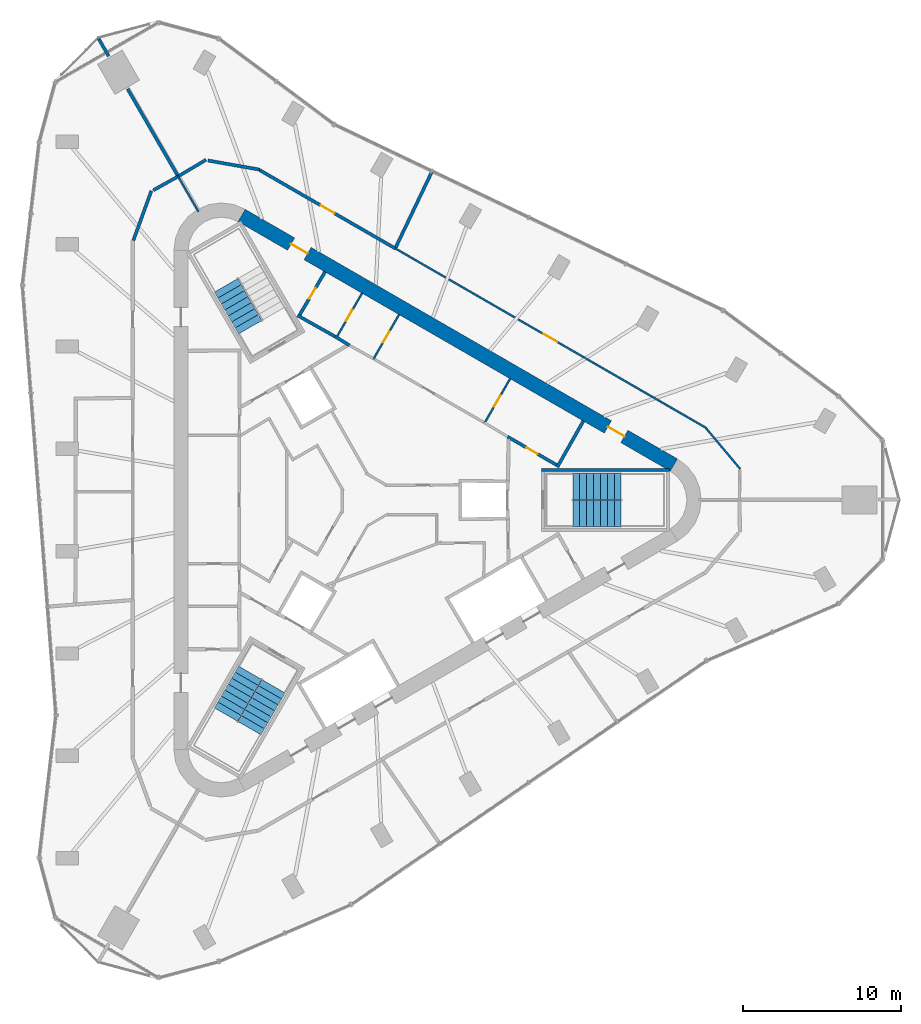
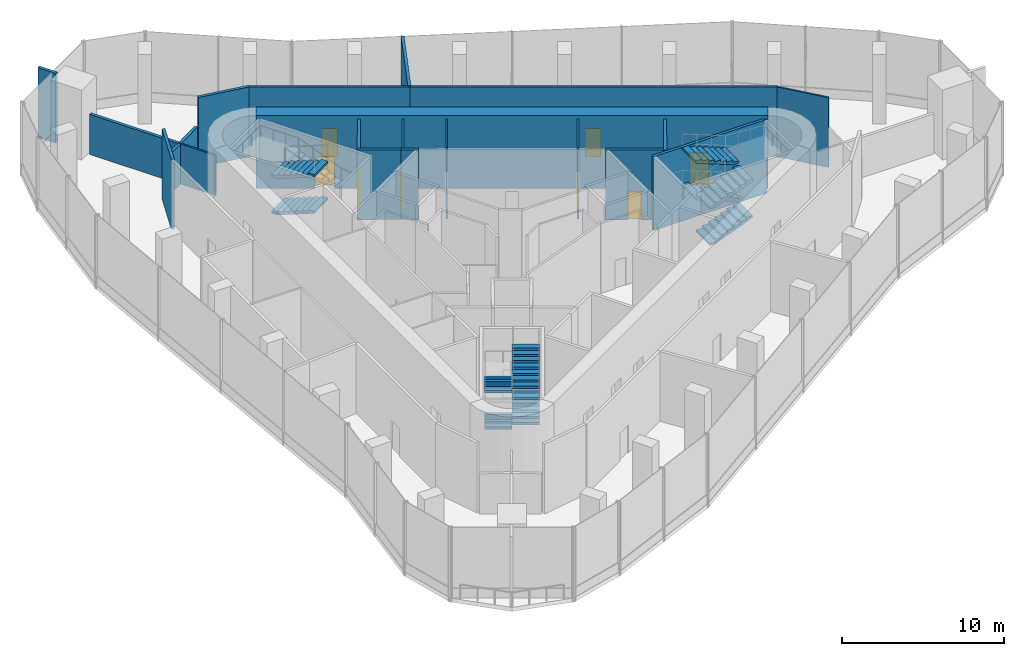
# One storey, part 10 of 13: 21 walls, 10 stair flights, 9 doors, 9 openings, 3 elements without a shape of their own.
"""IFC4 building model written with IfcOpenShell, lengths in metres."""

from ifc_helpers import new_model, si_unit, direction, frame, frame_2d, origin, place, context, subcontext, project, spatial, polyline, rectangle, outline, extrude, material, layer, layer_set, type_object, element, fill, aggregate, save


model = new_model("IFC4")

# Units and contexts
model_context = context("Model", 3, precision=1e-05, world=origin(), true_north=direction((0.0, 1.0)))
body_context = subcontext(model_context, "Body", "Model", "MODEL_VIEW")
ifc_project = project(units=[si_unit("LENGTHUNIT", "METRE"), si_unit("AREAUNIT", "SQUARE_METRE"), si_unit("VOLUMEUNIT", "CUBIC_METRE"), si_unit("PLANEANGLEUNIT", "RADIAN"), si_unit("MASSUNIT", "GRAM", prefix="KILO")], contexts=[model_context])

# Site, building, storey
site_placement = place(None, origin())
site = spatial("IfcSite", under=ifc_project, at=site_placement, CompositionType="ELEMENT")
building_placement = place(site_placement, origin())
building = spatial("IfcBuilding", under=site, at=building_placement, Name="Tanit Gate Tower", CompositionType="ELEMENT")
storey_placement = place(building_placement, frame((0.0, 0.0, 404.800048828125)))
storey = spatial("IfcBuildingStorey", under=building, at=storey_placement, Name="L92", CompositionType="ELEMENT", Elevation=404.800048828125)

# Wall, openings, doors
ifc_material_1 = material(Name="Concrete C40/50", Category="concrete")
ifc_layer_1 = layer(ifc_material_1, 0.89990234375)
ifc_layer_set_1 = layer_set([ifc_layer_1], Name="CORE WALL 900 C40/50")
wall_type_1 = type_object("IfcWallType", Name="CORE WALL 900 C40/50", PredefinedType="SHEAR", material=ifc_layer_set_1)
wall_1_placement = place(storey_placement, frame((19.47509765625, 2.20849609375, 0.0), z_axis=(0.0, 0.0, 1.0), x_axis=(-0.866028369851, 0.499994862586, 0.0)))
wall_1 = element("IfcWall", 1, at=wall_1_placement, inside=storey, type_object=wall_type_1, Name="CORE WALL", PredefinedType="SHEAR", context=body_context, shape_type="SweptSolid", body=[
    extrude(rectangle(XDim=31.523193359375, YDim=0.89990234375, at=frame_2d((15.76171875, 0.0))), origin(), (0.0, 0.0, 1.0), 5.5),
])
opening_1_placement = place(wall_1_placement, frame((3.611572265625, 0.0, 0.0)))
opening_1 = element("IfcOpeningElement", 2, at=opening_1_placement, cuts=wall_1, Name="Opening F12-92-FL1", PredefinedType="OPENING", context=body_context, shape_type="SweptSolid", body=[
    extrude(rectangle(XDim=1.199951171875, YDim=2.39990234375, at=frame_2d((0.60009765625, 1.199951171875))), frame((0.0, 0.4599609375, 0.0), z_axis=(0.0, -1.0, 0.0), x_axis=(1.0, 0.0, 0.0)), (0.0, 0.0, 1.0), 0.919921875),
])
opening_2_placement = place(wall_1_placement, frame((26.711669921875, 0.0, 0.0)))
opening_2 = element("IfcOpeningElement", 3, at=opening_2_placement, cuts=wall_1, Name="Opening F12-92-S2", PredefinedType="OPENING", context=body_context, shape_type="SweptSolid", body=[
    extrude(rectangle(XDim=1.199951171875, YDim=2.39990234375, at=frame_2d((0.60009765625, 1.199951171875))), frame((0.0, 0.4599609375, 0.0), z_axis=(0.0, -1.0, 0.0), x_axis=(1.0, 0.0, 0.0)), (0.0, 0.0, 1.0), 0.919921875),
])
ifc_material_2 = material(Name="Fire-rated steel door leaf", Category="steel")
door_type_1 = type_object("IfcDoorType", Name="INT-DOOR-FIRE-LOBBY-1200", OperationType="NOTDEFINED", PredefinedType="USERDEFINED", material=ifc_material_2)
door_1_placement = place(opening_1_placement, origin())
door_1 = element("IfcDoor", 4, at=door_1_placement, inside=storey, type_object=door_type_1, Name="Door F12-92-FL1", ObjectType="FIRE DOOR", OperationType="SINGLE_SWING_RIGHT", OverallHeight=2.39990234375, OverallWidth=1.199951171875, PredefinedType="USERDEFINED", context=body_context, shape_type="SweptSolid", body=[
    extrude(rectangle(XDim=1.199951171875, YDim=2.39990234375, at=frame_2d((0.60009765625, 1.199951171875))), frame((0.0, 0.02490234375, 0.0), z_axis=(0.0, -1.0, 0.0), x_axis=(1.0, 0.0, 0.0)), (0.0, 0.0, 1.0), 0.050048828125),
])
fill(opening_1, door_1)
door_2_placement = place(opening_2_placement, origin())
door_2 = element("IfcDoor", 5, at=door_2_placement, inside=storey, type_object=door_type_1, Name="Door F12-92-S2", ObjectType="FIRE DOOR", OperationType="SINGLE_SWING_RIGHT", OverallHeight=2.39990234375, OverallWidth=1.199951171875, PredefinedType="USERDEFINED", context=body_context, shape_type="SweptSolid", body=[
    extrude(rectangle(XDim=1.199951171875, YDim=2.39990234375, at=frame_2d((0.60009765625, 1.199951171875))), frame((0.0, 0.02490234375, 0.0), z_axis=(0.0, -1.0, 0.0), x_axis=(1.0, 0.0, 0.0)), (0.0, 0.0, 1.0), 0.050048828125),
])
fill(opening_2, door_2)

# Wall
ifc_material_3 = material(Name="Fire-rated gypsum board partition")
ifc_layer_2 = layer(ifc_material_3, 0.199951171875)
ifc_layer_set_2 = layer_set([ifc_layer_2], Name="INT-WALL-COMPARTMENT")
wall_type_2 = type_object("IfcWallType", Name="INT-WALL-COMPARTMENT", PredefinedType="PARTITIONING", material=ifc_layer_set_2)
wall_2_placement = place(storey_placement, frame((12.10986328125, 2.07275390625, 0.0), z_axis=(0.0, 0.0, 1.0), x_axis=(0.49196600604, 0.870614408852, 0.0)))
element("IfcWall", 6, at=wall_2_placement, inside=storey, type_object=wall_type_2, Name="Wall Compartment W050", PredefinedType="PARTITIONING", context=body_context, shape_type="SweptSolid", body=[
    extrude(rectangle(XDim=3.35009765625, YDim=0.199951171875, at=frame_2d((1.675048828125, 0.0))), origin(), (0.0, 0.0, 1.0), 5.25),
])

# Wall, opening, door
wall_3_placement = place(storey_placement, frame((8.97412109375, 3.998779296875, 0.0), z_axis=(0.0, 0.0, 1.0), x_axis=(0.86601284211, -0.500021756827, 0.0)))
wall_3 = element("IfcWall", 7, at=wall_3_placement, inside=storey, type_object=wall_type_2, Name="Wall Compartment W051", PredefinedType="PARTITIONING", context=body_context, shape_type="SweptSolid", body=[
    extrude(rectangle(XDim=3.577392578125, YDim=0.199951171875, at=frame_2d((1.78857421875, 0.0))), origin(), (0.0, 0.0, 1.0), 5.25),
])
opening_3_placement = place(wall_3_placement, frame((1.388916015625, 0.0, 0.0)))
opening_3 = element("IfcOpeningElement", 8, at=opening_3_placement, cuts=wall_3, Name="Opening R08-92-19", PredefinedType="OPENING", context=body_context, shape_type="SweptSolid", body=[
    extrude(rectangle(XDim=0.800048828125, YDim=2.10009765625, at=frame_2d((0.39990234375, 1.050048828125))), frame((0.0, 0.10986328125, 0.0), z_axis=(0.0, -1.0, 0.0), x_axis=(1.0, 0.0, 0.0)), (0.0, 0.0, 1.0), 0.219970703125),
])
ifc_material_4 = material(Name="Timber door leaf", Category="wood")
door_type_2 = type_object("IfcDoorType", Name="INT-DOOR-RISER-800", OperationType="NOTDEFINED", PredefinedType="USERDEFINED", material=ifc_material_4)
door_3_placement = place(opening_3_placement, origin())
door_3 = element("IfcDoor", 9, at=door_3_placement, inside=storey, type_object=door_type_2, Name="Door R08-92-19", ObjectType="FIRE DOOR", OperationType="SINGLE_SWING_RIGHT", OverallHeight=2.10009765625, OverallWidth=0.800048828125, PredefinedType="USERDEFINED", context=body_context, shape_type="SweptSolid", body=[
    extrude(rectangle(XDim=0.800048828125, YDim=2.10009765625, at=frame_2d((0.39990234375, 1.050048828125))), frame((0.0, 0.02490234375, 0.0), z_axis=(0.0, -1.0, 0.0), x_axis=(1.0, 0.0, 0.0)), (0.0, 0.0, 1.0), 0.050048828125),
])
fill(opening_3, door_3)

# Walls
wall_4_placement = place(storey_placement, frame((-1.940673828125, 10.338623046875, 0.0), z_axis=(0.0, 0.0, 1.0), x_axis=(0.850216889117, -0.526432561171, 0.0)))
element("IfcWall", 10, at=wall_4_placement, inside=storey, type_object=wall_type_2, Name="Wall Compartment W056", PredefinedType="PARTITIONING", context=body_context, shape_type="SweptSolid", body=[
    extrude(rectangle(XDim=1.078369140625, YDim=0.199951171875, at=frame_2d((0.5390625, 0.0))), origin(), (0.0, 0.0, 1.0), 5.25),
])
wall_5_placement = place(storey_placement, frame((-4.296142578125, 11.658935546875, 0.0), z_axis=(0.0, 0.0, 1.0), x_axis=(0.871534483978, -0.490334215854, 0.0)))
element("IfcWall", 11, at=wall_5_placement, inside=storey, type_object=wall_type_2, Name="Wall Compartment W058", PredefinedType="PARTITIONING", context=body_context, shape_type="SweptSolid", body=[
    extrude(rectangle(XDim=2.7001953125, YDim=0.199951171875, at=frame_2d((1.35009765625, 0.0))), origin(), (0.0, 0.0, 1.0), 5.25),
])

# Wall, opening, door
wall_6_placement = place(storey_placement, frame((-2.557861328125, 14.409423828125, 0.0), z_axis=(0.0, 0.0, 1.0), x_axis=(-0.508018930956, -0.861345903683, 0.0)))
wall_6 = element("IfcWall", 12, at=wall_6_placement, inside=storey, type_object=wall_type_2, Name="Wall Compartment W059", PredefinedType="PARTITIONING", context=body_context, shape_type="SweptSolid", body=[
    extrude(rectangle(XDim=3.150146484375, YDim=0.199951171875, at=frame_2d((1.5751953125, 0.0))), origin(), (0.0, 0.0, 1.0), 5.25),
])
opening_4_placement = place(wall_6_placement, frame((1.175048828125, 0.0, 0.0)))
opening_4 = element("IfcOpeningElement", 13, at=opening_4_placement, cuts=wall_6, Name="Opening R08-92-22", PredefinedType="OPENING", context=body_context, shape_type="SweptSolid", body=[
    extrude(rectangle(XDim=0.800048828125, YDim=2.10009765625, at=frame_2d((0.39990234375, 1.050048828125))), frame((0.0, 0.10986328125, 0.0), z_axis=(0.0, -1.0, 0.0), x_axis=(1.0, 0.0, 0.0)), (0.0, 0.0, 1.0), 0.219970703125),
])
door_4_placement = place(opening_4_placement, origin())
door_4 = element("IfcDoor", 14, at=door_4_placement, inside=storey, type_object=door_type_2, Name="Door R08-92-22", ObjectType="FIRE DOOR", OperationType="SINGLE_SWING_LEFT", OverallHeight=2.10009765625, OverallWidth=0.800048828125, PredefinedType="USERDEFINED", context=body_context, shape_type="SweptSolid", body=[
    extrude(rectangle(XDim=0.800048828125, YDim=2.10009765625, at=frame_2d((0.39990234375, 1.050048828125))), frame((0.0, 0.02490234375, 0.0), z_axis=(0.0, -1.0, 0.0), x_axis=(1.0, 0.0, 0.0)), (0.0, 0.0, 1.0), 0.050048828125),
])
fill(opening_4, door_4)

# Walls
wall_7_placement = place(storey_placement, frame((-13.527099609375, 19.522216796875, 0.0), z_axis=(0.0, 0.0, 1.0), x_axis=(-0.341978542333, -0.939707761266, 0.0)))
element("IfcWall", 15, at=wall_7_placement, inside=storey, type_object=wall_type_2, Name="Wall Compartment W092", PredefinedType="PARTITIONING", context=body_context, shape_type="SweptSolid", body=[
    extrude(rectangle(XDim=3.32958984375, YDim=0.199951171875, at=frame_2d((1.664794921875, 0.0))), origin(), (0.0, 0.0, 1.0), 5.25),
])
wall_8_placement = place(storey_placement, frame((-11.80810546875, 20.4521484375, 0.0), z_axis=(0.0, 0.0, 1.0), x_axis=(-0.873514477635, -0.486798169021, 0.0)))
element("IfcWall", 16, at=wall_8_placement, inside=storey, type_object=wall_type_2, Name="Wall Compartment W093", PredefinedType="PARTITIONING", context=body_context, shape_type="SweptSolid", body=[
    extrude(rectangle(XDim=1.82958984375, YDim=0.199951171875, at=frame_2d((0.914794921875, 0.0))), origin(), (0.0, 0.0, 1.0), 3.02001953125),
])
wall_9_placement = place(storey_placement, frame((-11.84912109375, 20.463134765625, 0.0), z_axis=(0.0, 0.0, 1.0), x_axis=(-0.499993152284, 0.866029357279, 0.0)))
element("IfcWall", 17, at=wall_9_placement, inside=storey, type_object=wall_type_2, Name="Wall Compartment W106", PredefinedType="PARTITIONING", context=body_context, shape_type="SweptSolid", body=[
    extrude(rectangle(XDim=6.349609375, YDim=0.199951171875, at=frame_2d((3.1748046875, 0.0))), origin(), (0.0, 0.0, 1.0), 3.02001953125),
])
wall_10_placement = place(storey_placement, frame((-16.223876953125, 28.04052734375, 0.0), z_axis=(0.0, 0.0, 1.0), x_axis=(-0.499950289094, 0.866054102487, 0.0)))
element("IfcWall", 18, at=wall_10_placement, inside=storey, type_object=wall_type_2, Name="Wall Compartment W105", PredefinedType="PARTITIONING", context=body_context, shape_type="SweptSolid", body=[
    extrude(rectangle(XDim=1.267822265625, YDim=0.199951171875, at=frame_2d((0.6337890625, 0.0))), origin(), (0.0, 0.0, 1.0), 5.25),
])
wall_11_placement = place(storey_placement, frame((-10.074462890625, 21.488525390625, 0.0), z_axis=(0.0, 0.0, 1.0), x_axis=(-0.858323699828, -0.513108591152, 0.0)))
element("IfcWall", 19, at=wall_11_placement, inside=storey, type_object=wall_type_2, Name="Wall Compartment W114", PredefinedType="PARTITIONING", context=body_context, shape_type="SweptSolid", body=[
    extrude(rectangle(XDim=2.019775390625, YDim=0.199951171875, at=frame_2d((1.009765625, 0.0))), origin(), (0.0, 0.0, 1.0), 3.02001953125),
])
wall_12_placement = place(storey_placement, frame((-6.667236328125, 20.863037109375, 0.0), z_axis=(0.0, 0.0, 1.0), x_axis=(-0.984809308694, 0.173639354725, 0.0)))
element("IfcWall", 20, at=wall_12_placement, inside=storey, type_object=wall_type_2, Name="Wall Compartment W115", PredefinedType="PARTITIONING", context=body_context, shape_type="SweptSolid", body=[
    extrude(rectangle(XDim=3.33935546875, YDim=0.199951171875, at=frame_2d((1.669677734375, 0.0))), origin(), (0.0, 0.0, 1.0), 5.25),
])

# Wall, opening, door
wall_13_placement = place(storey_placement, frame((1.8984375, 15.878173828125, 0.0), z_axis=(0.0, 0.0, 1.0), x_axis=(-0.866032067792, 0.499988457423, 0.0)))
wall_13 = element("IfcWall", 21, at=wall_13_placement, inside=storey, type_object=wall_type_2, Name="Wall Compartment W116", PredefinedType="PARTITIONING", context=body_context, shape_type="SweptSolid", body=[
    extrude(rectangle(XDim=9.904541015625, YDim=0.199951171875, at=frame_2d((4.9521484375, 0.0))), origin(), (0.0, 0.0, 1.0), 5.25),
])
opening_5_placement = place(wall_13_placement, frame((4.456298828125, 0.0, 0.0)))
opening_5 = element("IfcOpeningElement", 22, at=opening_5_placement, cuts=wall_13, Name="Opening F10-92-31", PredefinedType="OPENING", context=body_context, shape_type="SweptSolid", body=[
    extrude(rectangle(XDim=1.0, YDim=2.10009765625, at=frame_2d((0.5, 1.050048828125))), frame((0.0, 0.10986328125, 0.0), z_axis=(0.0, -1.0, 0.0), x_axis=(1.0, 0.0, 0.0)), (0.0, 0.0, 1.0), 0.219970703125),
])
ifc_material_5 = material(Name="Fire-rated steel door leaf", Category="steel")
door_type_3 = type_object("IfcDoorType", Name="INT-DOOR-FIRE-1000", OperationType="NOTDEFINED", PredefinedType="USERDEFINED", material=ifc_material_5)
door_5_placement = place(opening_5_placement, origin())
door_5 = element("IfcDoor", 23, at=door_5_placement, inside=storey, type_object=door_type_3, Name="Door F10-92-31", ObjectType="FIRE DOOR", OperationType="SINGLE_SWING_RIGHT", OverallHeight=2.10009765625, OverallWidth=1.0, PredefinedType="USERDEFINED", context=body_context, shape_type="SweptSolid", body=[
    extrude(rectangle(XDim=1.0, YDim=2.10009765625, at=frame_2d((0.5, 1.050048828125))), frame((0.0, 0.02490234375, 0.0), z_axis=(0.0, -1.0, 0.0), x_axis=(1.0, 0.0, 0.0)), (0.0, 0.0, 1.0), 0.050048828125),
])
fill(opening_5, door_5)

# Wall
wall_14_placement = place(storey_placement, frame((4.20703125, 20.76611328125, 0.0), z_axis=(0.0, 0.0, 1.0), x_axis=(-0.431059382244, -0.902323561135, 0.0)))
element("IfcWall", 24, at=wall_14_placement, inside=storey, type_object=wall_type_2, Name="Wall Compartment W118", PredefinedType="PARTITIONING", context=body_context, shape_type="SweptSolid", body=[
    extrude(rectangle(XDim=5.34375, YDim=0.199951171875, at=frame_2d((2.671875, 0.0))), origin(), (0.0, 0.0, 1.0), 5.25),
])

# Wall, opening, door
ifc_material_6 = material(Name="Gypsum board partition")
ifc_layer_3 = layer(ifc_material_6, 0.1201171875)
ifc_layer_set_3 = layer_set([ifc_layer_3], Name="INT-WALL-PARTITION")
wall_type_3 = type_object("IfcWallType", Name="INT-WALL-PARTITION", PredefinedType="PARTITIONING", material=ifc_layer_set_3)
wall_15_placement = place(storey_placement, frame((7.50830078125, 4.844970703125, 0.0), z_axis=(0.0, 0.0, 1.0), x_axis=(0.500017246033, 0.866015446554, 0.0)))
wall_15 = element("IfcWall", 25, at=wall_15_placement, inside=storey, type_object=wall_type_3, Name="Wall Partition W049", PredefinedType="PARTITIONING", context=body_context, shape_type="SweptSolid", body=[
    extrude(rectangle(XDim=3.25, YDim=0.1201171875, at=frame_2d((1.625, 0.0))), origin(), (0.0, 0.0, 1.0), 5.25),
])
opening_6_placement = place(wall_15_placement, frame((1.22509765625, 0.0, 0.0)))
opening_6 = element("IfcOpeningElement", 26, at=opening_6_placement, cuts=wall_15, Name="Opening R08-92-35", PredefinedType="OPENING", context=body_context, shape_type="SweptSolid", body=[
    extrude(rectangle(XDim=0.800048828125, YDim=2.10009765625, at=frame_2d((0.39990234375, 1.050048828125))), frame((0.0, 0.070068359375, 0.0), z_axis=(0.0, -1.0, 0.0), x_axis=(1.0, 0.0, 0.0)), (0.0, 0.0, 1.0), 0.14013671875),
])
door_6_placement = place(opening_6_placement, origin())
door_6 = element("IfcDoor", 27, at=door_6_placement, inside=storey, type_object=door_type_2, Name="Door R08-92-35", ObjectType="FIRE DOOR", OperationType="SINGLE_SWING_RIGHT", OverallHeight=2.10009765625, OverallWidth=0.800048828125, PredefinedType="USERDEFINED", context=body_context, shape_type="SweptSolid", body=[
    extrude(rectangle(XDim=0.800048828125, YDim=2.10009765625, at=frame_2d((0.39990234375, 1.050048828125))), frame((0.0, 0.02490234375, 0.0), z_axis=(0.0, -1.0, 0.0), x_axis=(1.0, 0.0, 0.0)), (0.0, 0.0, 1.0), 0.050048828125),
])
fill(opening_6, door_6)

wall_16_placement = place(storey_placement, frame((2.11865234375, 11.70947265625, 0.0), z_axis=(0.0, 0.0, 1.0), x_axis=(-0.500017246033, -0.866015446554, 0.0)))
wall_16 = element("IfcWall", 28, at=wall_16_placement, inside=storey, type_object=wall_type_3, Name="Wall Partition W053", PredefinedType="PARTITIONING", context=body_context, shape_type="SweptSolid", body=[
    extrude(rectangle(XDim=3.25, YDim=0.1201171875, at=frame_2d((1.625, 0.0))), origin(), (0.0, 0.0, 1.0), 5.25),
])
opening_7_placement = place(wall_16_placement, frame((1.22509765625, 0.0, 0.0)))
opening_7 = element("IfcOpeningElement", 29, at=opening_7_placement, cuts=wall_16, Name="Opening R08-92-20", PredefinedType="OPENING", context=body_context, shape_type="SweptSolid", body=[
    extrude(rectangle(XDim=0.800048828125, YDim=2.10009765625, at=frame_2d((0.39990234375, 1.050048828125))), frame((0.0, 0.070068359375, 0.0), z_axis=(0.0, -1.0, 0.0), x_axis=(1.0, 0.0, 0.0)), (0.0, 0.0, 1.0), 0.14013671875),
])
door_7_placement = place(opening_7_placement, origin())
door_7 = element("IfcDoor", 30, at=door_7_placement, inside=storey, type_object=door_type_2, Name="Door R08-92-20", ObjectType="FIRE DOOR", OperationType="SINGLE_SWING_LEFT", OverallHeight=2.10009765625, OverallWidth=0.800048828125, PredefinedType="USERDEFINED", context=body_context, shape_type="SweptSolid", body=[
    extrude(rectangle(XDim=0.800048828125, YDim=2.10009765625, at=frame_2d((0.39990234375, 1.050048828125))), frame((0.0, 0.02490234375, 0.0), z_axis=(0.0, -1.0, 0.0), x_axis=(1.0, 0.0, 0.0)), (0.0, 0.0, 1.0), 0.050048828125),
])
fill(opening_7, door_7)

wall_17_placement = place(storey_placement, frame((-0.2197265625, 13.0595703125, 0.0), z_axis=(0.0, 0.0, 1.0), x_axis=(-0.499984717929, -0.866034226713, 0.0)))
wall_17 = element("IfcWall", 31, at=wall_17_placement, inside=storey, type_object=wall_type_3, Name="Wall Partition W055", PredefinedType="PARTITIONING", context=body_context, shape_type="SweptSolid", body=[
    extrude(rectangle(XDim=3.25, YDim=0.1201171875, at=frame_2d((1.625, 0.0))), origin(), (0.0, 0.0, 1.0), 5.25),
])
opening_8_placement = place(wall_17_placement, frame((1.22509765625, 0.0, 0.0)))
opening_8 = element("IfcOpeningElement", 32, at=opening_8_placement, cuts=wall_17, Name="Opening R08-92-21", PredefinedType="OPENING", context=body_context, shape_type="SweptSolid", body=[
    extrude(rectangle(XDim=0.800048828125, YDim=2.10009765625, at=frame_2d((0.39990234375, 1.050048828125))), frame((0.0, 0.070068359375, 0.0), z_axis=(0.0, -1.0, 0.0), x_axis=(1.0, 0.0, 0.0)), (0.0, 0.0, 1.0), 0.14013671875),
])
door_8_placement = place(opening_8_placement, origin())
door_8 = element("IfcDoor", 33, at=door_8_placement, inside=storey, type_object=door_type_2, Name="Door R08-92-21", ObjectType="FIRE DOOR", OperationType="SINGLE_SWING_LEFT", OverallHeight=2.10009765625, OverallWidth=0.800048828125, PredefinedType="USERDEFINED", context=body_context, shape_type="SweptSolid", body=[
    extrude(rectangle(XDim=0.800048828125, YDim=2.10009765625, at=frame_2d((0.39990234375, 1.050048828125))), frame((0.0, 0.02490234375, 0.0), z_axis=(0.0, -1.0, 0.0), x_axis=(1.0, 0.0, 0.0)), (0.0, 0.0, 1.0), 0.050048828125),
])
fill(opening_8, door_8)

# Wall
wall_18_placement = place(storey_placement, frame((-11.84912109375, 20.463134765625, 0.0), z_axis=(0.0, 0.0, 1.0), x_axis=(0.500047596559, -0.865997922154, 0.0)))
element("IfcWall", 34, at=wall_18_placement, inside=storey, type_object=wall_type_3, Name="Wall Partition W099", PredefinedType="PARTITIONING", context=body_context, shape_type="SweptSolid", body=[
    extrude(rectangle(XDim=2.599853515625, YDim=0.1201171875, at=frame_2d((1.2998046875, 0.0))), origin(), (0.0, 0.0, 1.0), 3.02001953125),
])

# Wall, opening, door
wall_19_placement = place(storey_placement, frame((21.517822265625, 4.55078125, 0.0), z_axis=(0.0, 0.0, 1.0), x_axis=(-0.866022813823, 0.500004485919, 0.0)))
wall_19 = element("IfcWall", 35, at=wall_19_placement, inside=storey, type_object=wall_type_3, Name="Wall Partition W111", PredefinedType="PARTITIONING", context=body_context, shape_type="SweptSolid", body=[
    extrude(rectangle(XDim=22.654541015625, YDim=0.1201171875, at=frame_2d((11.3271484375, 0.0))), origin(), (0.0, 0.0, 1.0), 5.25),
])
opening_9_placement = place(wall_19_placement, frame((10.860107421875, 0.0, 0.0)))
opening_9 = element("IfcOpeningElement", 36, at=opening_9_placement, cuts=wall_19, Name="Opening D10-92-30", PredefinedType="OPENING", context=body_context, shape_type="SweptSolid", body=[
    extrude(rectangle(XDim=1.0, YDim=2.10009765625, at=frame_2d((0.5, 1.050048828125))), frame((0.0, 0.070068359375, 0.0), z_axis=(0.0, -1.0, 0.0), x_axis=(1.0, 0.0, 0.0)), (0.0, 0.0, 1.0), 0.14013671875),
])
ifc_material_7 = material(Name="Timber door leaf", Category="wood")
door_type_4 = type_object("IfcDoorType", Name="INT-DOOR-SINGLE-1000", OperationType="NOTDEFINED", PredefinedType="NOTDEFINED", material=ifc_material_7)
door_9_placement = place(opening_9_placement, origin())
door_9 = element("IfcDoor", 37, at=door_9_placement, inside=storey, type_object=door_type_4, Name="Door D10-92-30", OperationType="SINGLE_SWING_LEFT", OverallHeight=2.10009765625, OverallWidth=1.0, PredefinedType="NOTDEFINED", context=body_context, shape_type="SweptSolid", body=[
    extrude(rectangle(XDim=1.0, YDim=2.10009765625, at=frame_2d((0.5, 1.050048828125))), frame((0.0, 0.02490234375, 0.0), z_axis=(0.0, -1.0, 0.0), x_axis=(1.0, 0.0, 0.0)), (0.0, 0.0, 1.0), 0.050048828125),
])
fill(opening_9, door_9)

# Walls
wall_20_placement = place(storey_placement, frame((23.66064453125, 1.965087890625, 0.0), z_axis=(0.0, 0.0, 1.0), x_axis=(-0.642772118723, 0.766057441314, 0.0)))
element("IfcWall", 38, at=wall_20_placement, inside=storey, type_object=wall_type_3, Name="Wall Partition W112", PredefinedType="PARTITIONING", context=body_context, shape_type="SweptSolid", body=[
    extrude(rectangle(XDim=3.3544921875, YDim=0.1201171875, at=frame_2d((1.67724609375, 0.0))), origin(), (0.0, 0.0, 1.0), 5.25),
])
ifc_material_8 = material(Name="Concrete C40/50", Category="concrete")
ifc_layer_4 = layer(ifc_material_8, 0.199951171875)
ifc_layer_set_4 = layer_set([ifc_layer_4], Name="INT-WALL-STAIR")
wall_type_4 = type_object("IfcWallType", Name="INT-WALL-STAIR", PredefinedType="SHEAR", material=ifc_layer_set_4)
wall_21_placement = place(storey_placement, frame((19.199951171875, 1.89990234375, -0.300048828125), z_axis=(0.0, 0.0, 1.0), x_axis=(-1.0, 0.0, 0.0)))
element("IfcWall", 39, at=wall_21_placement, inside=storey, type_object=wall_type_4, Name="Wall Stair W011", PredefinedType="SHEAR", context=body_context, shape_type="SweptSolid", body=[
    extrude(rectangle(XDim=8.099853515625, YDim=0.199951171875, at=frame_2d((4.0498046875, 0.0))), origin(), (0.0, 0.0, 1.0), 5.550048828125),
])

# Stair, stair flights
ifc_material_9 = material(Name="Concrete C40/50", Category="concrete")
stair_type = type_object("IfcStairType", Name="INT-STAIR-EXIT", PredefinedType="HALF_TURN_STAIR", material=ifc_material_9)
stair_1_placement = place(storey_placement, origin())
stair_1 = element("IfcStair", 40, at=stair_1_placement, inside=storey, type_object=stair_type, Name="L92 STAIR S1", PredefinedType="HALF_TURN_STAIR")
ifc_material_10 = material(Name="Concrete C40/50", Category="concrete")
stair_flight_type = type_object("IfcStairFlightType", Name="INT-STAIR-FLIGHT", PredefinedType="STRAIGHT", material=ifc_material_10)
stair_flight_1_placement = place(storey_placement, frame((13.094970703125, -0.8525390625, 0.0), z_axis=(0.0, 0.0, 1.0), x_axis=(1.0, 0.0, 0.0)))
stair_flight_1 = element("IfcStairFlight", 41, at=stair_flight_1_placement, type_object=stair_flight_type, Name="S1 flight 1", NumberOfRisers=8, NumberOfTreads=7, PredefinedType="STRAIGHT", RiserHeight=0.171875, TreadLength=0.435857143, context=body_context, shape_type="SweptSolid", body=[
    extrude(outline(polyline([(0.0, 0.0), (0.0, 0.171875), (0.435791015625, 0.171875), (0.435791015625, 0.34375), (0.871826171875, 0.34375), (0.871826171875, 0.515625), (1.3076171875, 0.515625), (1.3076171875, 0.6875), (1.743408203125, 0.6875), (1.743408203125, 0.859375), (2.17919921875, 0.859375), (2.17919921875, 1.03125), (2.615234375, 1.03125), (2.615234375, 1.203125), (3.051025390625, 1.203125), (3.051025390625, 1.375), (3.051025390625, 1.0419921875), (0.40869140625, 0.0), (0.0, 0.0)])), frame((0.0, 0.84765625, 0.0), z_axis=(0.0, -1.0, 0.0), x_axis=(1.0, 0.0, 0.0)), (0.0, 0.0, 1.0), 1.695068359375),
])
stair_flight_2_placement = place(storey_placement, frame((16.14599609375, 0.8525390625, 1.375), z_axis=(0.0, 0.0, 1.0), x_axis=(-1.0, 0.0, 0.0)))
stair_flight_2 = element("IfcStairFlight", 42, at=stair_flight_2_placement, type_object=stair_flight_type, Name="S1 flight 2", NumberOfRisers=8, NumberOfTreads=7, PredefinedType="STRAIGHT", RiserHeight=0.171875, TreadLength=0.435857143, context=body_context, shape_type="SweptSolid", body=[
    extrude(outline(polyline([(0.0, 0.0), (0.0, 0.171875), (0.435791015625, 0.171875), (0.435791015625, 0.34375), (0.871826171875, 0.34375), (0.871826171875, 0.515625), (1.3076171875, 0.515625), (1.3076171875, 0.6875), (1.743408203125, 0.6875), (1.743408203125, 0.859375), (2.17919921875, 0.859375), (2.17919921875, 1.03125), (2.615234375, 1.03125), (2.615234375, 1.203125), (3.051025390625, 1.203125), (3.051025390625, 1.375), (3.051025390625, 1.0419921875), (0.40869140625, 0.0), (0.0, 0.0)])), frame((0.0, 0.84765625, 0.0), z_axis=(0.0, -1.0, 0.0), x_axis=(1.0, 0.0, 0.0)), (0.0, 0.0, 1.0), 1.695068359375),
])
stair_flight_3_placement = place(storey_placement, frame((13.094970703125, -0.8525390625, 2.75), z_axis=(0.0, 0.0, 1.0), x_axis=(1.0, 0.0, 0.0)))
stair_flight_3 = element("IfcStairFlight", 43, at=stair_flight_3_placement, type_object=stair_flight_type, Name="S1 flight 3", NumberOfRisers=8, NumberOfTreads=7, PredefinedType="STRAIGHT", RiserHeight=0.171875, TreadLength=0.435857143, context=body_context, shape_type="SweptSolid", body=[
    extrude(outline(polyline([(0.0, 0.0), (0.0, 0.171875), (0.435791015625, 0.171875), (0.435791015625, 0.34375), (0.871826171875, 0.34375), (0.871826171875, 0.515625), (1.3076171875, 0.515625), (1.3076171875, 0.6875), (1.743408203125, 0.6875), (1.743408203125, 0.859375), (2.17919921875, 0.859375), (2.17919921875, 1.03125), (2.615234375, 1.03125), (2.615234375, 1.203125), (3.051025390625, 1.203125), (3.051025390625, 1.375), (3.051025390625, 1.0419921875), (0.40869140625, 0.0), (0.0, 0.0)])), frame((0.0, 0.84765625, 0.0), z_axis=(0.0, -1.0, 0.0), x_axis=(1.0, 0.0, 0.0)), (0.0, 0.0, 1.0), 1.695068359375),
])
stair_flight_4_placement = place(storey_placement, frame((16.14599609375, 0.8525390625, 4.125), z_axis=(0.0, 0.0, 1.0), x_axis=(-1.0, 0.0, 0.0)))
stair_flight_4 = element("IfcStairFlight", 44, at=stair_flight_4_placement, type_object=stair_flight_type, Name="S1 flight 4", NumberOfRisers=8, NumberOfTreads=7, PredefinedType="STRAIGHT", RiserHeight=0.171875, TreadLength=0.435857143, context=body_context, shape_type="SweptSolid", body=[
    extrude(outline(polyline([(0.0, 0.0), (0.0, 0.171875), (0.435791015625, 0.171875), (0.435791015625, 0.34375), (0.871826171875, 0.34375), (0.871826171875, 0.515625), (1.3076171875, 0.515625), (1.3076171875, 0.6875), (1.743408203125, 0.6875), (1.743408203125, 0.859375), (2.17919921875, 0.859375), (2.17919921875, 1.03125), (2.615234375, 1.03125), (2.615234375, 1.203125), (3.051025390625, 1.203125), (3.051025390625, 1.375), (3.051025390625, 1.0419921875), (0.40869140625, 0.0), (0.0, 0.0)])), frame((0.0, 0.84765625, 0.0), z_axis=(0.0, -1.0, 0.0), x_axis=(1.0, 0.0, 0.0)), (0.0, 0.0, 1.0), 1.695068359375),
])
aggregate(stair_1, [stair_flight_1, stair_flight_2, stair_flight_3, stair_flight_4])

stair_2_placement = place(storey_placement, origin())
stair_2 = element("IfcStair", 45, at=stair_2_placement, inside=storey, type_object=stair_type, Name="L92 STAIR S2", PredefinedType="HALF_TURN_STAIR")
stair_flight_5_placement = place(storey_placement, frame((-8.810302734375, 13.553955078125, 1.375), z_axis=(0.0, 0.0, 1.0), x_axis=(0.5, -0.866025403784, 0.0)))
stair_flight_5 = element("IfcStairFlight", 46, at=stair_flight_5_placement, type_object=stair_flight_type, Name="S2 flight 2", NumberOfRisers=8, NumberOfTreads=7, PredefinedType="STRAIGHT", RiserHeight=0.171875, TreadLength=0.4356, context=body_context, shape_type="SweptSolid", body=[
    extrude(outline(polyline([(0.0, 0.0), (0.0, 0.171875), (0.435546875, 0.171875), (0.435546875, 0.34375), (0.87109375, 0.34375), (0.87109375, 0.515625), (1.306884765625, 0.515625), (1.306884765625, 0.6875), (1.742431640625, 0.6875), (1.742431640625, 0.859375), (2.177978515625, 0.859375), (2.177978515625, 1.03125), (2.613525390625, 1.03125), (2.613525390625, 1.203125), (3.04931640625, 1.203125), (3.04931640625, 1.375), (3.04931640625, 1.0419921875), (0.408447265625, 0.0), (0.0, 0.0)])), frame((0.0, 0.84716796875, 0.0), z_axis=(0.0, -1.0, 0.0), x_axis=(1.0, 0.0, 0.0)), (0.0, 0.0, 1.0), 1.694091796875),
])
stair_flight_6_placement = place(storey_placement, frame((-8.810302734375, 13.553955078125, 4.125), z_axis=(0.0, 0.0, 1.0), x_axis=(0.5, -0.866025403784, 0.0)))
stair_flight_6 = element("IfcStairFlight", 47, at=stair_flight_6_placement, type_object=stair_flight_type, Name="S2 flight 4", NumberOfRisers=8, NumberOfTreads=7, PredefinedType="STRAIGHT", RiserHeight=0.171875, TreadLength=0.4356, context=body_context, shape_type="SweptSolid", body=[
    extrude(outline(polyline([(0.0, 0.0), (0.0, 0.171875), (0.435546875, 0.171875), (0.435546875, 0.34375), (0.87109375, 0.34375), (0.87109375, 0.515625), (1.306884765625, 0.515625), (1.306884765625, 0.6875), (1.742431640625, 0.6875), (1.742431640625, 0.859375), (2.177978515625, 0.859375), (2.177978515625, 1.03125), (2.613525390625, 1.03125), (2.613525390625, 1.203125), (3.04931640625, 1.203125), (3.04931640625, 1.375), (3.04931640625, 1.0419921875), (0.408447265625, 0.0), (0.0, 0.0)])), frame((0.0, 0.84716796875, 0.0), z_axis=(0.0, -1.0, 0.0), x_axis=(1.0, 0.0, 0.0)), (0.0, 0.0, 1.0), 1.694091796875),
])
aggregate(stair_2, [stair_flight_5, stair_flight_6])

stair_3_placement = place(storey_placement, origin())
stair_3 = element("IfcStair", 48, at=stair_3_placement, inside=storey, type_object=stair_type, Name="L92 STAIR S3", PredefinedType="HALF_TURN_STAIR")
stair_flight_7_placement = place(storey_placement, frame((-7.285888671875, -10.914306640625, 0.0), z_axis=(0.0, 0.0, 1.0), x_axis=(-0.5, -0.866025403784, 0.0)))
stair_flight_7 = element("IfcStairFlight", 49, at=stair_flight_7_placement, type_object=stair_flight_type, Name="S3 flight 1", NumberOfRisers=8, NumberOfTreads=7, PredefinedType="STRAIGHT", RiserHeight=0.171875, TreadLength=0.435857143, context=body_context, shape_type="SweptSolid", body=[
    extrude(outline(polyline([(0.0, 0.0), (0.0, 0.171875), (0.435791015625, 0.171875), (0.435791015625, 0.34375), (0.871826171875, 0.34375), (0.871826171875, 0.515625), (1.3076171875, 0.515625), (1.3076171875, 0.6875), (1.743408203125, 0.6875), (1.743408203125, 0.859375), (2.17919921875, 0.859375), (2.17919921875, 1.03125), (2.615234375, 1.03125), (2.615234375, 1.203125), (3.051025390625, 1.203125), (3.051025390625, 1.375), (3.051025390625, 1.0419921875), (0.40869140625, 0.0), (0.0, 0.0)])), frame((0.0, 0.84765625, 0.0), z_axis=(0.0, -1.0, 0.0), x_axis=(1.0, 0.0, 0.0)), (0.0, 0.0, 1.0), 1.695068359375),
])
stair_flight_8_placement = place(storey_placement, frame((-7.334716796875, -14.4091796875, 1.375), z_axis=(0.0, 0.0, 1.0), x_axis=(0.5, 0.866025403784, 0.0)))
stair_flight_8 = element("IfcStairFlight", 50, at=stair_flight_8_placement, type_object=stair_flight_type, Name="S3 flight 2", NumberOfRisers=8, NumberOfTreads=7, PredefinedType="STRAIGHT", RiserHeight=0.171875, TreadLength=0.435857143, context=body_context, shape_type="SweptSolid", body=[
    extrude(outline(polyline([(0.0, 0.0), (0.0, 0.171875), (0.435791015625, 0.171875), (0.435791015625, 0.34375), (0.871826171875, 0.34375), (0.871826171875, 0.515625), (1.3076171875, 0.515625), (1.3076171875, 0.6875), (1.743408203125, 0.6875), (1.743408203125, 0.859375), (2.17919921875, 0.859375), (2.17919921875, 1.03125), (2.615234375, 1.03125), (2.615234375, 1.203125), (3.051025390625, 1.203125), (3.051025390625, 1.375), (3.051025390625, 1.0419921875), (0.40869140625, 0.0), (0.0, 0.0)])), frame((0.0, 0.84765625, 0.0), z_axis=(0.0, -1.0, 0.0), x_axis=(1.0, 0.0, 0.0)), (0.0, 0.0, 1.0), 1.695068359375),
])
stair_flight_9_placement = place(storey_placement, frame((-7.285888671875, -10.914306640625, 2.75), z_axis=(0.0, 0.0, 1.0), x_axis=(-0.5, -0.866025403784, 0.0)))
stair_flight_9 = element("IfcStairFlight", 51, at=stair_flight_9_placement, type_object=stair_flight_type, Name="S3 flight 3", NumberOfRisers=8, NumberOfTreads=7, PredefinedType="STRAIGHT", RiserHeight=0.171875, TreadLength=0.435857143, context=body_context, shape_type="SweptSolid", body=[
    extrude(outline(polyline([(0.0, 0.0), (0.0, 0.171875), (0.435791015625, 0.171875), (0.435791015625, 0.34375), (0.871826171875, 0.34375), (0.871826171875, 0.515625), (1.3076171875, 0.515625), (1.3076171875, 0.6875), (1.743408203125, 0.6875), (1.743408203125, 0.859375), (2.17919921875, 0.859375), (2.17919921875, 1.03125), (2.615234375, 1.03125), (2.615234375, 1.203125), (3.051025390625, 1.203125), (3.051025390625, 1.375), (3.051025390625, 1.0419921875), (0.40869140625, 0.0), (0.0, 0.0)])), frame((0.0, 0.84765625, 0.0), z_axis=(0.0, -1.0, 0.0), x_axis=(1.0, 0.0, 0.0)), (0.0, 0.0, 1.0), 1.695068359375),
])
stair_flight_10_placement = place(storey_placement, frame((-7.334716796875, -14.4091796875, 4.125), z_axis=(0.0, 0.0, 1.0), x_axis=(0.5, 0.866025403784, 0.0)))
stair_flight_10 = element("IfcStairFlight", 52, at=stair_flight_10_placement, type_object=stair_flight_type, Name="S3 flight 4", NumberOfRisers=8, NumberOfTreads=7, PredefinedType="STRAIGHT", RiserHeight=0.171875, TreadLength=0.435857143, context=body_context, shape_type="SweptSolid", body=[
    extrude(outline(polyline([(0.0, 0.0), (0.0, 0.171875), (0.435791015625, 0.171875), (0.435791015625, 0.34375), (0.871826171875, 0.34375), (0.871826171875, 0.515625), (1.3076171875, 0.515625), (1.3076171875, 0.6875), (1.743408203125, 0.6875), (1.743408203125, 0.859375), (2.17919921875, 0.859375), (2.17919921875, 1.03125), (2.615234375, 1.03125), (2.615234375, 1.203125), (3.051025390625, 1.203125), (3.051025390625, 1.375), (3.051025390625, 1.0419921875), (0.40869140625, 0.0), (0.0, 0.0)])), frame((0.0, 0.84765625, 0.0), z_axis=(0.0, -1.0, 0.0), x_axis=(1.0, 0.0, 0.0)), (0.0, 0.0, 1.0), 1.695068359375),
])
aggregate(stair_3, [stair_flight_7, stair_flight_8, stair_flight_9, stair_flight_10])

save(model, "model.ifc")
